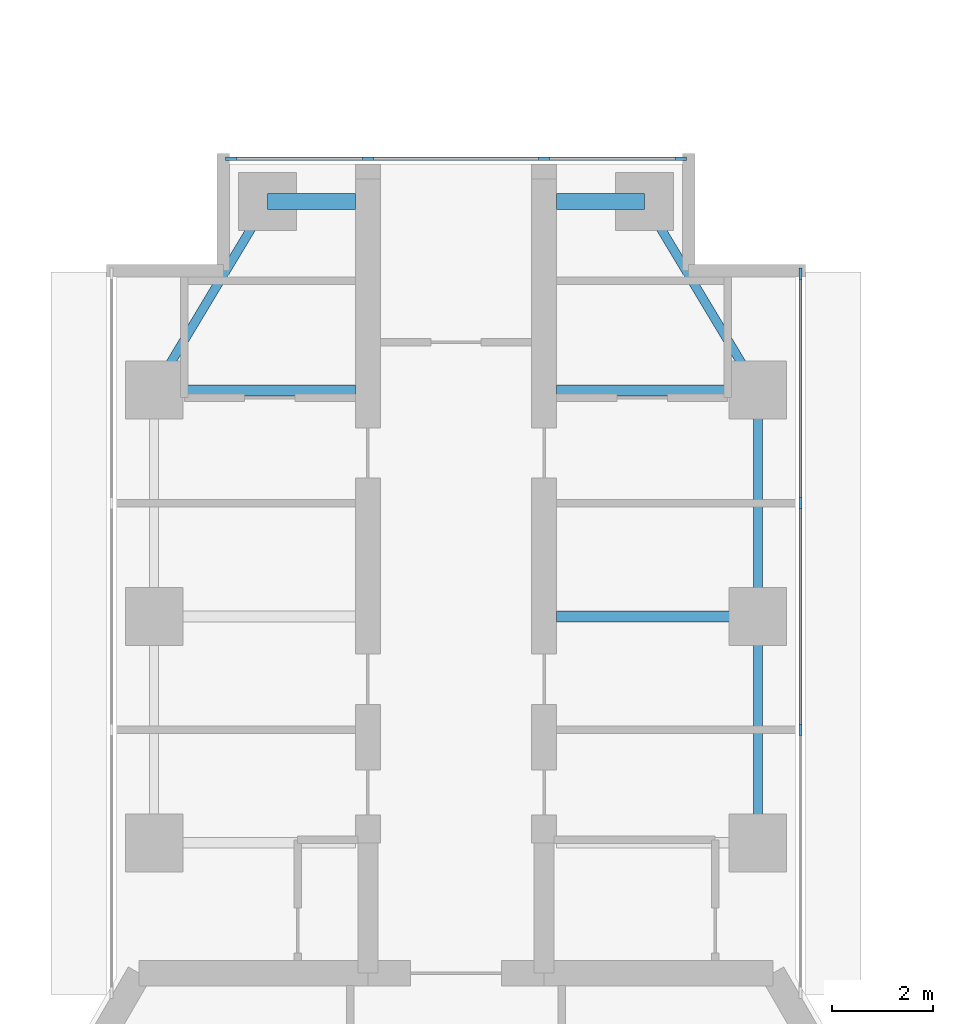
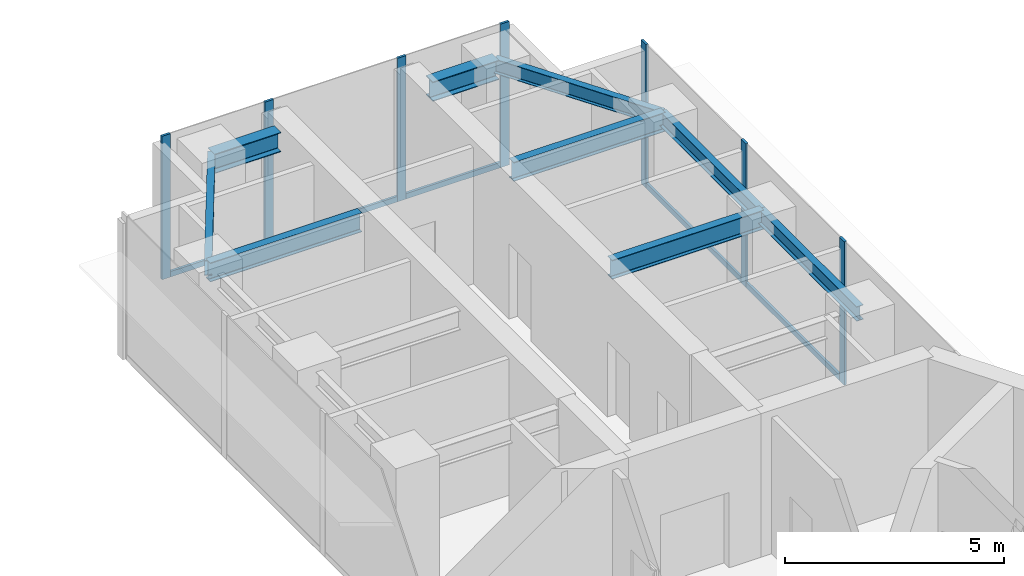
# One storey, part 9 of 17: 12 members, 9 beams, 2 elements without a shape of their own.
"""IFC4 building model written with IfcOpenShell, lengths in metres."""

from ifc_helpers import new_model, si_unit, direction, frame, origin, origin_2d, place, context, subcontext, project, spatial, rectangle, i_section, extrude, material, material_profile, profile_set, type_object, element, aggregate, save


model = new_model("IFC4")

# Units and contexts
model_context = context("Model", 3, precision=1e-05, world=origin(), true_north=direction((0.0, 1.0)))
body_context = subcontext(model_context, "Body", "Model", "MODEL_VIEW")
ifc_project = project(units=[si_unit("LENGTHUNIT", "METRE"), si_unit("AREAUNIT", "SQUARE_METRE"), si_unit("VOLUMEUNIT", "CUBIC_METRE"), si_unit("PLANEANGLEUNIT", "RADIAN"), si_unit("MASSUNIT", "GRAM", prefix="KILO")], contexts=[model_context])

# Site, building, storey
site_placement = place(None, origin())
site = spatial("IfcSite", under=ifc_project, at=site_placement, CompositionType="ELEMENT")
building_placement = place(site_placement, origin())
building = spatial("IfcBuilding", under=site, at=building_placement, Name="Upepo Twin Towers", CompositionType="ELEMENT")
storey_placement = place(building_placement, frame((0.0, 0.0, 210.5)))
storey = spatial("IfcBuildingStorey", under=building, at=storey_placement, Name="L51", CompositionType="ELEMENT", Elevation=210.5)

# Beams
ifc_material_1 = material(Name="Steel S355", Category="steel")
ifc_material_profile_1 = material_profile(ifc_material_1, i_section(OverallWidth=0.177978515625, OverallDepth=0.406494140625, WebThickness=0.0078125, FlangeThickness=0.0126953125, FilletRadius=0.01025390625, at=origin_2d()), Name="UB 406x178x60")
ifc_profile_set_1 = profile_set([ifc_material_profile_1], Name="Steel S355")
beam_type_1 = type_object("IfcBeamType", Name="Beam UB 406x178x60", PredefinedType="BEAM", material=ifc_profile_set_1)
beam_1_placement = place(storey_placement, frame((52.5, 4.5, 3.5966796875), z_axis=(0.514495755428, 0.857492925713, 0.0), x_axis=(-0.857492925713, 0.514495755428, 0.0)))
element("IfcBeam", 1, at=beam_1_placement, inside=storey, type_object=beam_type_1, Name="T2 nose edge beam AL", PredefinedType="BEAM", context=body_context, shape_type="SweptSolid", body=[
    extrude(i_section(OverallWidth=0.177978515625, OverallDepth=0.406494140625, WebThickness=0.0078125, FlangeThickness=0.0126953125, FilletRadius=0.01025390625, at=origin_2d()), origin(), (0.0, 0.0, 1.0), 4.373291015625),
])
for number, where, z_axis, x_axis, name in (
    (2, (64.5, -4.5, 3.5966796875), (0.0, 1.0, 0.0), (-1.0, 0.0, 0.0), "T2 edge beam AR 13.5-18.0"),
    (3, (64.5, 0.0, 3.5966796875), (0.0, 1.0, 0.0), (-1.0, 0.0, 0.0), "T2 edge beam AR 18.0-22.5"),
):
    element("IfcBeam", number, at=place(storey_placement, frame(where, z_axis=z_axis, x_axis=x_axis)), inside=storey, type_object=beam_type_1, Name=name, PredefinedType="BEAM", context=body_context, shape_type="SweptSolid", body=[
        extrude(i_section(OverallWidth=0.177978515625, OverallDepth=0.406494140625, WebThickness=0.0078125, FlangeThickness=0.0126953125, FilletRadius=0.01025390625, at=origin_2d()), origin(), (0.0, 0.0, 1.0), 4.5),
    ])
beam_2_placement = place(storey_placement, frame((64.5, 4.5, 3.5966796875), z_axis=(-0.514495755428, 0.857492925713, 0.0), x_axis=(-0.857492925713, -0.514495755428, 0.0)))
element("IfcBeam", 4, at=beam_2_placement, inside=storey, type_object=beam_type_1, Name="T2 nose edge beam AR", PredefinedType="BEAM", context=body_context, shape_type="SweptSolid", body=[
    extrude(i_section(OverallWidth=0.177978515625, OverallDepth=0.406494140625, WebThickness=0.0078125, FlangeThickness=0.0126953125, FilletRadius=0.01025390625, at=origin_2d()), origin(), (0.0, 0.0, 1.0), 4.373291015625),
])
ifc_material_2 = material(Name="Steel S355", Category="steel")
ifc_material_profile_2 = material_profile(ifc_material_2, i_section(OverallWidth=0.209228515625, OverallDepth=0.533203125, WebThickness=0.010009765625, FlangeThickness=0.015625, FilletRadius=0.0126953125, at=origin_2d()), Name="UB 533x210x92")
ifc_profile_set_2 = profile_set([ifc_material_profile_2], Name="Steel S355")
beam_type_2 = type_object("IfcBeamType", Name="Beam UB 533x210x92", PredefinedType="BEAM", material=ifc_profile_set_2)
for number, where, z_axis, x_axis, name in (
    (5, (52.5, 4.5, 3.533447265625), (1.0, 0.0, 0.0), (0.0, 1.0, 0.0), "T2 girder AL at 22.5"),
    (6, (64.5, 0.0, 3.533447265625), (-1.0, 0.0, 0.0), (0.0, -1.0, 0.0), "T2 girder AR at 18.0"),
    (7, (64.5, 4.5, 3.533447265625), (-1.0, 0.0, 0.0), (0.0, -1.0, 0.0), "T2 girder AR at 22.5"),
):
    element("IfcBeam", number, at=place(storey_placement, frame(where, z_axis=z_axis, x_axis=x_axis)), inside=storey, type_object=beam_type_2, Name=name, PredefinedType="BEAM", context=body_context, shape_type="SweptSolid", body=[
        extrude(i_section(OverallWidth=0.209228515625, OverallDepth=0.533203125, WebThickness=0.010009765625, FlangeThickness=0.015625, FilletRadius=0.0126953125, at=origin_2d()), origin(), (0.0, 0.0, 1.0), 4.0),
    ])
ifc_material_3 = material(Name="Steel S355", Category="steel")
ifc_material_profile_3 = material_profile(ifc_material_3, i_section(OverallWidth=0.31201171875, OverallDepth=0.54345703125, WebThickness=0.0126953125, FlangeThickness=0.020263671875, FilletRadius=0.0126953125, at=origin_2d()), Name="UB 533x312x150")
ifc_profile_set_3 = profile_set([ifc_material_profile_3], Name="Steel S355")
beam_type_3 = type_object("IfcBeamType", Name="Beam UB 533x312x150", PredefinedType="BEAM", material=ifc_profile_set_3)
for number, where, z_axis, x_axis, name in (
    (8, (54.75, 8.25, 3.5283203125), (1.0, 0.0, 0.0), (0.0, 1.0, 0.0), "T2 nose beam AL"),
    (9, (62.25, 8.25, 3.5283203125), (-1.0, 0.0, 0.0), (0.0, -1.0, 0.0), "T2 nose beam AR"),
):
    element("IfcBeam", number, at=place(storey_placement, frame(where, z_axis=z_axis, x_axis=x_axis)), inside=storey, type_object=beam_type_3, Name=name, PredefinedType="BEAM", context=body_context, shape_type="SweptSolid", body=[
        extrude(i_section(OverallWidth=0.31201171875, OverallDepth=0.54345703125, WebThickness=0.0126953125, FlangeThickness=0.020263671875, FilletRadius=0.0126953125, at=origin_2d()), origin(), (0.0, 0.0, 1.0), 1.75),
    ])

# Curtain wall, members
ifc_material_4 = material(Name="Aluminium and fritted glass", Category="aluminium")
curtain_wall_type = type_object("IfcCurtainWallType", Name="Tower curtain wall TW3, fritted glass", PredefinedType="NOTDEFINED", material=ifc_material_4)
curtain_wall_1_placement = place(storey_placement, origin())
curtain_wall_1 = element("IfcCurtainWall", 10, at=curtain_wall_1_placement, inside=storey, type_object=curtain_wall_type, Name="T2 L51 wing A flank R curtain wall", PredefinedType="NOTDEFINED")
ifc_material_5 = material(Name="Aluminium mullion", Category="aluminium")
ifc_material_profile_4 = material_profile(ifc_material_5, rectangle(XDim=0.06494140625, YDim=0.22509765625, at=origin_2d()), Name="MULLION 65x225")
ifc_profile_set_4 = profile_set([ifc_material_profile_4], Name="Aluminium mullion")
member_type_1 = type_object("IfcMemberType", Name="Mullion 65x225 TW3", PredefinedType="MULLION", material=ifc_profile_set_4)
member_1_placement = place(storey_placement, frame((65.35009765625, 6.8173828125, 0.0), z_axis=(0.0, 0.0, 1.0), x_axis=(1.0, 0.0, 0.0)))
member_1 = element("IfcMember", 11, at=member_1_placement, type_object=member_type_1, Name="T2 L51 wing A flank R curtain wall mullion 1", PredefinedType="MULLION", context=body_context, shape_type="SweptSolid", body=[
    extrude(rectangle(XDim=0.06494140625, YDim=0.22509765625, at=origin_2d()), origin(), (0.0, 0.0, 1.0), 4.0),
])
member_2_placement = place(storey_placement, frame((65.35009765625, 2.25, 0.0), z_axis=(0.0, 0.0, 1.0), x_axis=(1.0, 0.0, 0.0)))
member_2 = element("IfcMember", 12, at=member_2_placement, type_object=member_type_1, Name="T2 L51 wing A flank R curtain wall mullion 2", PredefinedType="MULLION", context=body_context, shape_type="SweptSolid", body=[
    extrude(rectangle(XDim=0.06494140625, YDim=0.22509765625, at=origin_2d()), origin(), (0.0, 0.0, 1.0), 4.0),
])
member_3_placement = place(storey_placement, frame((65.35009765625, -2.25, 0.0), z_axis=(0.0, 0.0, 1.0), x_axis=(1.0, 0.0, 0.0)))
member_3 = element("IfcMember", 13, at=member_3_placement, type_object=member_type_1, Name="T2 L51 wing A flank R curtain wall mullion 3", PredefinedType="MULLION", context=body_context, shape_type="SweptSolid", body=[
    extrude(rectangle(XDim=0.06494140625, YDim=0.22509765625, at=origin_2d()), origin(), (0.0, 0.0, 1.0), 4.0),
])

curtain_wall_2_placement = place(storey_placement, origin())
curtain_wall_2 = element("IfcCurtainWall", 14, at=curtain_wall_2_placement, inside=storey, type_object=curtain_wall_type, Name="T2 L51 wing A nose curtain wall", PredefinedType="NOTDEFINED")
member_4_placement = place(storey_placement, frame((62.967529296875, 9.10009765625, 0.0), z_axis=(0.0, 0.0, 1.0), x_axis=(0.0, -1.0, 0.0)))
member_4 = element("IfcMember", 15, at=member_4_placement, type_object=member_type_1, Name="T2 L51 wing A nose curtain wall mullion 1", PredefinedType="MULLION", context=body_context, shape_type="SweptSolid", body=[
    extrude(rectangle(XDim=0.06494140625, YDim=0.22509765625, at=origin_2d()), origin(), (0.0, 0.0, 1.0), 4.0),
])
member_5_placement = place(storey_placement, frame((60.25, 9.10009765625, 0.0), z_axis=(0.0, 0.0, 1.0), x_axis=(0.0, -1.0, 0.0)))
member_5 = element("IfcMember", 16, at=member_5_placement, type_object=member_type_1, Name="T2 L51 wing A nose curtain wall mullion 2", PredefinedType="MULLION", context=body_context, shape_type="SweptSolid", body=[
    extrude(rectangle(XDim=0.06494140625, YDim=0.22509765625, at=origin_2d()), origin(), (0.0, 0.0, 1.0), 4.0),
])
member_6_placement = place(storey_placement, frame((56.75, 9.10009765625, 0.0), z_axis=(0.0, 0.0, 1.0), x_axis=(0.0, -1.0, 0.0)))
member_6 = element("IfcMember", 17, at=member_6_placement, type_object=member_type_1, Name="T2 L51 wing A nose curtain wall mullion 3", PredefinedType="MULLION", context=body_context, shape_type="SweptSolid", body=[
    extrude(rectangle(XDim=0.06494140625, YDim=0.22509765625, at=origin_2d()), origin(), (0.0, 0.0, 1.0), 4.0),
])
member_7_placement = place(storey_placement, frame((54.032470703125, 9.10009765625, 0.0), z_axis=(0.0, 0.0, 1.0), x_axis=(0.0, -1.0, 0.0)))
member_7 = element("IfcMember", 18, at=member_7_placement, type_object=member_type_1, Name="T2 L51 wing A nose curtain wall mullion 4", PredefinedType="MULLION", context=body_context, shape_type="SweptSolid", body=[
    extrude(rectangle(XDim=0.06494140625, YDim=0.22509765625, at=origin_2d()), origin(), (0.0, 0.0, 1.0), 4.0),
])

# Member
ifc_material_6 = material(Name="Aluminium transom", Category="aluminium")
ifc_material_profile_5 = material_profile(ifc_material_6, rectangle(XDim=0.06494140625, YDim=0.14990234375, at=origin_2d()), Name="TRANSOM 65x150")
ifc_profile_set_5 = profile_set([ifc_material_profile_5], Name="Aluminium transom")
member_type_2 = type_object("IfcMemberType", Name="Transom 65x150 TW3", PredefinedType="USERDEFINED", material=ifc_profile_set_5)
member_8_placement = place(storey_placement, frame((65.35009765625, 6.784912109375, 0.074951171875), z_axis=(0.0, -1.0, 0.0), x_axis=(1.0, 0.0, 0.0)))
member_8 = element("IfcMember", 19, at=member_8_placement, type_object=member_type_2, Name="T2 L51 wing A flank R curtain wall transom 1", ObjectType="TRANSOM", PredefinedType="USERDEFINED", context=body_context, shape_type="SweptSolid", body=[
    extrude(rectangle(XDim=0.06494140625, YDim=0.14990234375, at=origin_2d()), origin(), (0.0, 0.0, 1.0), 4.50244140625),
])

member_9_placement = place(storey_placement, frame((65.35009765625, 2.217529296875, 0.074951171875), z_axis=(0.0, -1.0, 0.0), x_axis=(1.0, 0.0, 0.0)))
member_9 = element("IfcMember", 20, at=member_9_placement, type_object=member_type_2, Name="T2 L51 wing A flank R curtain wall transom 2", ObjectType="TRANSOM", PredefinedType="USERDEFINED", context=body_context, shape_type="SweptSolid", body=[
    extrude(rectangle(XDim=0.06494140625, YDim=0.14990234375, at=origin_2d()), origin(), (0.0, 0.0, 1.0), 4.43505859375),
])

aggregate(curtain_wall_1, [member_1, member_2, member_3, member_8, member_9])

member_10_placement = place(storey_placement, frame((62.93505859375, 9.10009765625, 0.074951171875), z_axis=(-1.0, 0.0, 0.0), x_axis=(0.0, -1.0, 0.0)))
member_10 = element("IfcMember", 21, at=member_10_placement, type_object=member_type_2, Name="T2 L51 wing A nose curtain wall transom 1", ObjectType="TRANSOM", PredefinedType="USERDEFINED", context=body_context, shape_type="SweptSolid", body=[
    extrude(rectangle(XDim=0.06494140625, YDim=0.14990234375, at=origin_2d()), origin(), (0.0, 0.0, 1.0), 2.652587890625),
])

member_11_placement = place(storey_placement, frame((60.217529296875, 9.10009765625, 0.074951171875), z_axis=(-1.0, 0.0, 0.0), x_axis=(0.0, -1.0, 0.0)))
member_11 = element("IfcMember", 22, at=member_11_placement, type_object=member_type_2, Name="T2 L51 wing A nose curtain wall transom 2", ObjectType="TRANSOM", PredefinedType="USERDEFINED", context=body_context, shape_type="SweptSolid", body=[
    extrude(rectangle(XDim=0.06494140625, YDim=0.14990234375, at=origin_2d()), origin(), (0.0, 0.0, 1.0), 3.43505859375),
])

member_12_placement = place(storey_placement, frame((56.717529296875, 9.10009765625, 0.074951171875), z_axis=(-1.0, 0.0, 0.0), x_axis=(0.0, -1.0, 0.0)))
member_12 = element("IfcMember", 23, at=member_12_placement, type_object=member_type_2, Name="T2 L51 wing A nose curtain wall transom 3", ObjectType="TRANSOM", PredefinedType="USERDEFINED", context=body_context, shape_type="SweptSolid", body=[
    extrude(rectangle(XDim=0.06494140625, YDim=0.14990234375, at=origin_2d()), origin(), (0.0, 0.0, 1.0), 2.652587890625),
])

aggregate(curtain_wall_2, [member_4, member_5, member_6, member_7, member_10, member_11, member_12])

save(model, "model.ifc")
